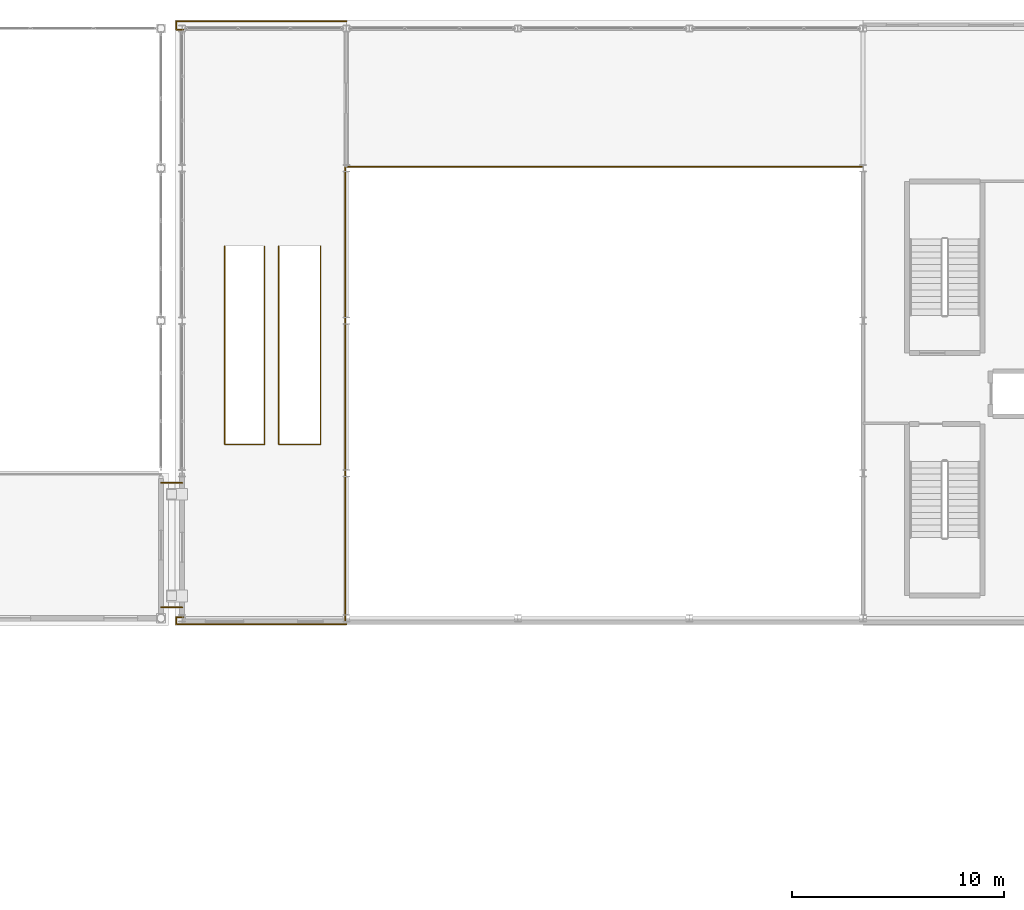
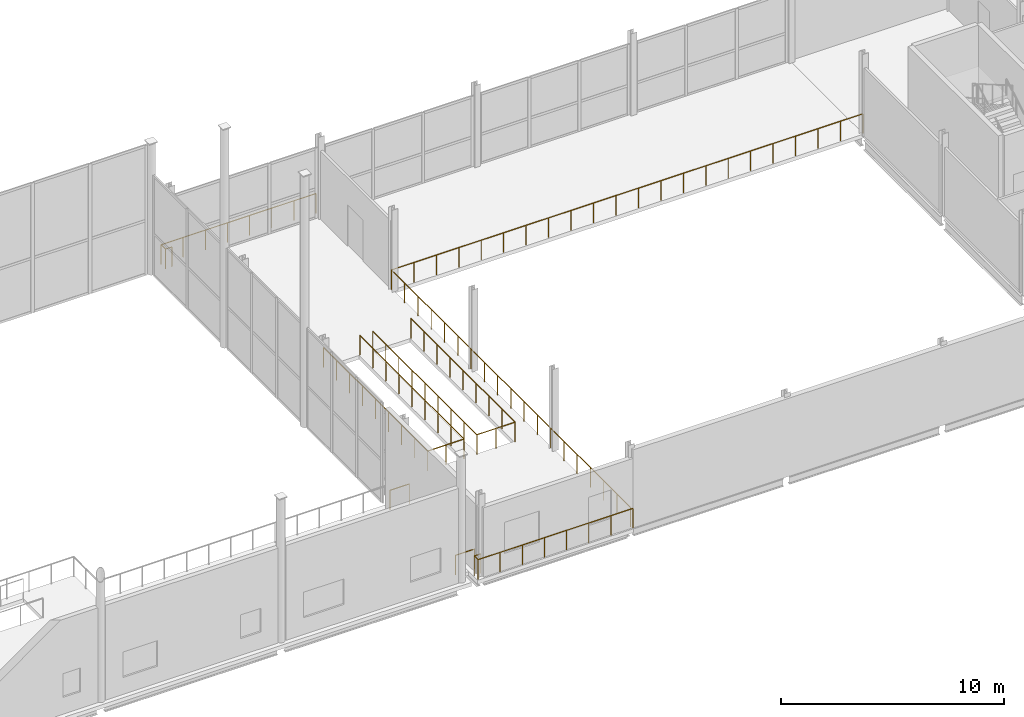
# One storey, part 76 of 77: 7 railings.
"""IFC4 building model written with IfcOpenShell, lengths in metres."""

from ifc_helpers import new_model, si_unit, direction, frame, origin, origin_2d, place, context, subcontext, project, spatial, circle, extrude, material, type_object, element, save


model = new_model("IFC4")

# Units and contexts
model_context = context("Model", 3, precision=1e-05, world=origin(), true_north=direction((0.0, 1.0)))
body_context = subcontext(model_context, "Body", "Model", "MODEL_VIEW")
ifc_project = project(units=[si_unit("LENGTHUNIT", "METRE"), si_unit("AREAUNIT", "SQUARE_METRE"), si_unit("VOLUMEUNIT", "CUBIC_METRE"), si_unit("PLANEANGLEUNIT", "RADIAN"), si_unit("MASSUNIT", "GRAM", prefix="KILO")], contexts=[model_context])

# Site, building, storey
site_placement = place(None, origin())
site = spatial("IfcSite", under=ifc_project, at=site_placement, CompositionType="ELEMENT")
building_placement = place(site_placement, origin())
building = spatial("IfcBuilding", under=site, at=building_placement, Name="Quillay Park Conservatory", CompositionType="ELEMENT")
storey_placement = place(building_placement, frame((0.0, 0.0, 5.39990234375)))
storey = spatial("IfcBuildingStorey", under=building, at=storey_placement, Name="L01", CompositionType="ELEMENT", Elevation=5.39990234375)

# Railings
ifc_material_1 = material(Name="Steel S355J2H", Category="steel")
railing_type_1 = type_object("IfcRailingType", Name="STAIR WELL GUARDRAIL 1100", PredefinedType="GUARDRAIL", material=ifc_material_1)
railing_1_placement = place(storey_placement, frame((117.860107421875, 103.1201171875, 0.0)))
element("IfcRailing", 1, at=railing_1_placement, inside=storey, type_object=railing_type_1, Name="L01 Feature Stair 05 Well Guardrail", PredefinedType="GUARDRAIL", context=body_context, shape_type="SweptSolid", body=[
    extrude(circle(Radius=0.02392578125, at=origin_2d()), frame((0.0, 0.0, 1.076171875), z_axis=(0.0, -1.0, 0.0), x_axis=(1.0, 0.0, 0.0)), (0.0, 0.0, 1.0), 9.360107421875),
    extrude(circle(Radius=0.02392578125, at=origin_2d()), frame((0.0, -9.360107421875, 1.076171875), z_axis=(1.0, 0.0, 0.0), x_axis=(0.0, 1.0, 0.0)), (0.0, 0.0, 1.0), 1.8798828125),
    extrude(circle(Radius=0.02392578125, at=origin_2d()), frame((1.8798828125, -9.360107421875, 1.076171875), z_axis=(0.0, 1.0, 0.0), x_axis=(-1.0, 0.0, 0.0)), (0.0, 0.0, 1.0), 9.360107421875),
    extrude(circle(Radius=0.02099609375, at=origin_2d()), origin(), (0.0, 0.0, 1.0), 1.052001953125),
    extrude(circle(Radius=0.02099609375, at=origin_2d()), frame((0.0, -1.169921875, 0.0)), (0.0, 0.0, 1.0), 1.052001953125),
    extrude(circle(Radius=0.02099609375, at=origin_2d()), frame((0.0, -2.340087890625, 0.0)), (0.0, 0.0, 1.0), 1.052001953125),
    extrude(circle(Radius=0.02099609375, at=origin_2d()), frame((0.0, -3.510009765625, 0.0)), (0.0, 0.0, 1.0), 1.052001953125),
    extrude(circle(Radius=0.02099609375, at=origin_2d()), frame((0.0, -4.68017578125, 0.0)), (0.0, 0.0, 1.0), 1.052001953125),
    extrude(circle(Radius=0.02099609375, at=origin_2d()), frame((0.0, -5.85009765625, 0.0)), (0.0, 0.0, 1.0), 1.052001953125),
    extrude(circle(Radius=0.02099609375, at=origin_2d()), frame((0.0, -7.02001953125, 0.0)), (0.0, 0.0, 1.0), 1.052001953125),
    extrude(circle(Radius=0.02099609375, at=origin_2d()), frame((0.0, -8.190185546875, 0.0)), (0.0, 0.0, 1.0), 1.052001953125),
    extrude(circle(Radius=0.02099609375, at=origin_2d()), frame((0.0, -9.360107421875, 0.0)), (0.0, 0.0, 1.0), 1.052001953125),
    extrude(circle(Radius=0.02099609375, at=origin_2d()), frame((0.93994140625, -9.360107421875, 0.0)), (0.0, 0.0, 1.0), 1.052001953125),
    extrude(circle(Radius=0.02099609375, at=origin_2d()), frame((1.8798828125, -9.360107421875, 0.0)), (0.0, 0.0, 1.0), 1.052001953125),
    extrude(circle(Radius=0.02099609375, at=origin_2d()), frame((1.8798828125, -8.190185546875, 0.0)), (0.0, 0.0, 1.0), 1.052001953125),
    extrude(circle(Radius=0.02099609375, at=origin_2d()), frame((1.8798828125, -7.02001953125, 0.0)), (0.0, 0.0, 1.0), 1.052001953125),
    extrude(circle(Radius=0.02099609375, at=origin_2d()), frame((1.8798828125, -5.85009765625, 0.0)), (0.0, 0.0, 1.0), 1.052001953125),
    extrude(circle(Radius=0.02099609375, at=origin_2d()), frame((1.8798828125, -4.68017578125, 0.0)), (0.0, 0.0, 1.0), 1.052001953125),
    extrude(circle(Radius=0.02099609375, at=origin_2d()), frame((1.8798828125, -3.510009765625, 0.0)), (0.0, 0.0, 1.0), 1.052001953125),
    extrude(circle(Radius=0.02099609375, at=origin_2d()), frame((1.8798828125, -2.340087890625, 0.0)), (0.0, 0.0, 1.0), 1.052001953125),
    extrude(circle(Radius=0.02099609375, at=origin_2d()), frame((1.8798828125, -1.169921875, 0.0)), (0.0, 0.0, 1.0), 1.052001953125),
    extrude(circle(Radius=0.02099609375, at=origin_2d()), frame((1.8798828125, 0.0, 0.0)), (0.0, 0.0, 1.0), 1.052001953125),
])
railing_2_placement = place(storey_placement, frame((120.409912109375, 103.1201171875, 0.0)))
element("IfcRailing", 2, at=railing_2_placement, inside=storey, type_object=railing_type_1, Name="L01 Feature Stair 06 Well Guardrail", PredefinedType="GUARDRAIL", context=body_context, shape_type="SweptSolid", body=[
    extrude(circle(Radius=0.02392578125, at=origin_2d()), frame((0.0, 0.0, 1.076171875), z_axis=(0.0, -1.0, 0.0), x_axis=(1.0, 0.0, 0.0)), (0.0, 0.0, 1.0), 9.360107421875),
    extrude(circle(Radius=0.02392578125, at=origin_2d()), frame((0.0, -9.360107421875, 1.076171875), z_axis=(1.0, 0.0, 0.0), x_axis=(0.0, 1.0, 0.0)), (0.0, 0.0, 1.0), 1.97998046875),
    extrude(circle(Radius=0.02392578125, at=origin_2d()), frame((1.97998046875, -9.360107421875, 1.076171875), z_axis=(0.0, 1.0, 0.0), x_axis=(-1.0, 0.0, 0.0)), (0.0, 0.0, 1.0), 9.360107421875),
    extrude(circle(Radius=0.02099609375, at=origin_2d()), origin(), (0.0, 0.0, 1.0), 1.052001953125),
    extrude(circle(Radius=0.02099609375, at=origin_2d()), frame((0.0, -1.169921875, 0.0)), (0.0, 0.0, 1.0), 1.052001953125),
    extrude(circle(Radius=0.02099609375, at=origin_2d()), frame((0.0, -2.340087890625, 0.0)), (0.0, 0.0, 1.0), 1.052001953125),
    extrude(circle(Radius=0.02099609375, at=origin_2d()), frame((0.0, -3.510009765625, 0.0)), (0.0, 0.0, 1.0), 1.052001953125),
    extrude(circle(Radius=0.02099609375, at=origin_2d()), frame((0.0, -4.68017578125, 0.0)), (0.0, 0.0, 1.0), 1.052001953125),
    extrude(circle(Radius=0.02099609375, at=origin_2d()), frame((0.0, -5.85009765625, 0.0)), (0.0, 0.0, 1.0), 1.052001953125),
    extrude(circle(Radius=0.02099609375, at=origin_2d()), frame((0.0, -7.02001953125, 0.0)), (0.0, 0.0, 1.0), 1.052001953125),
    extrude(circle(Radius=0.02099609375, at=origin_2d()), frame((0.0, -8.190185546875, 0.0)), (0.0, 0.0, 1.0), 1.052001953125),
    extrude(circle(Radius=0.02099609375, at=origin_2d()), frame((0.0, -9.360107421875, 0.0)), (0.0, 0.0, 1.0), 1.052001953125),
    extrude(circle(Radius=0.02099609375, at=origin_2d()), frame((0.989990234375, -9.360107421875, 0.0)), (0.0, 0.0, 1.0), 1.052001953125),
    extrude(circle(Radius=0.02099609375, at=origin_2d()), frame((1.97998046875, -9.360107421875, 0.0)), (0.0, 0.0, 1.0), 1.052001953125),
    extrude(circle(Radius=0.02099609375, at=origin_2d()), frame((1.97998046875, -8.190185546875, 0.0)), (0.0, 0.0, 1.0), 1.052001953125),
    extrude(circle(Radius=0.02099609375, at=origin_2d()), frame((1.97998046875, -7.02001953125, 0.0)), (0.0, 0.0, 1.0), 1.052001953125),
    extrude(circle(Radius=0.02099609375, at=origin_2d()), frame((1.97998046875, -5.85009765625, 0.0)), (0.0, 0.0, 1.0), 1.052001953125),
    extrude(circle(Radius=0.02099609375, at=origin_2d()), frame((1.97998046875, -4.68017578125, 0.0)), (0.0, 0.0, 1.0), 1.052001953125),
    extrude(circle(Radius=0.02099609375, at=origin_2d()), frame((1.97998046875, -3.510009765625, 0.0)), (0.0, 0.0, 1.0), 1.052001953125),
    extrude(circle(Radius=0.02099609375, at=origin_2d()), frame((1.97998046875, -2.340087890625, 0.0)), (0.0, 0.0, 1.0), 1.052001953125),
    extrude(circle(Radius=0.02099609375, at=origin_2d()), frame((1.97998046875, -1.169921875, 0.0)), (0.0, 0.0, 1.0), 1.052001953125),
    extrude(circle(Radius=0.02099609375, at=origin_2d()), frame((1.97998046875, 0.0, 0.0)), (0.0, 0.0, 1.0), 1.052001953125),
])
ifc_material_2 = material(Name="Steel S355J2H", Category="steel")
railing_type_2 = type_object("IfcRailingType", Name="TERRACE PERIMETER GUARDRAIL 1100", PredefinedType="GUARDRAIL", material=ifc_material_2)
railing_3_placement = place(storey_placement, frame((123.5400390625, 85.39990234375, 0.0)))
element("IfcRailing", 3, at=railing_3_placement, inside=storey, type_object=railing_type_2, Name="L01 Perimeter Safety Guardrail 010", PredefinedType="GUARDRAIL", context=body_context, shape_type="SweptSolid", body=[
    extrude(circle(Radius=0.02392578125, at=origin_2d()), frame((0.0, 0.0, 1.076171875), z_axis=(0.0, 1.0, 0.0), x_axis=(-1.0, 0.0, 0.0)), (0.0, 0.0, 1.0), 21.460205078125),
    extrude(circle(Radius=0.02392578125, at=origin_2d()), frame((0.0, 21.460205078125, 1.076171875), z_axis=(1.0, 0.0, 0.0), x_axis=(0.0, 1.0, 0.0)), (0.0, 0.0, 1.0), 24.4599609375),
    extrude(circle(Radius=0.02099609375, at=origin_2d()), origin(), (0.0, 0.0, 1.0), 1.052001953125),
    extrude(circle(Radius=0.02099609375, at=origin_2d()), frame((0.0, 1.192138671875, 0.0)), (0.0, 0.0, 1.0), 1.052001953125),
    extrude(circle(Radius=0.02099609375, at=origin_2d()), frame((0.0, 2.384521484375, 0.0)), (0.0, 0.0, 1.0), 1.052001953125),
    extrude(circle(Radius=0.02099609375, at=origin_2d()), frame((0.0, 3.57666015625, 0.0)), (0.0, 0.0, 1.0), 1.052001953125),
    extrude(circle(Radius=0.02099609375, at=origin_2d()), frame((0.0, 4.76904296875, 0.0)), (0.0, 0.0, 1.0), 1.052001953125),
    extrude(circle(Radius=0.02099609375, at=origin_2d()), frame((0.0, 5.961181640625, 0.0)), (0.0, 0.0, 1.0), 1.052001953125),
    extrude(circle(Radius=0.02099609375, at=origin_2d()), frame((0.0, 7.1533203125, 0.0)), (0.0, 0.0, 1.0), 1.052001953125),
    extrude(circle(Radius=0.02099609375, at=origin_2d()), frame((0.0, 8.345703125, 0.0)), (0.0, 0.0, 1.0), 1.052001953125),
    extrude(circle(Radius=0.02099609375, at=origin_2d()), frame((0.0, 9.537841796875, 0.0)), (0.0, 0.0, 1.0), 1.052001953125),
    extrude(circle(Radius=0.02099609375, at=origin_2d()), frame((0.0, 10.72998046875, 0.0)), (0.0, 0.0, 1.0), 1.052001953125),
    extrude(circle(Radius=0.02099609375, at=origin_2d()), frame((0.0, 11.92236328125, 0.0)), (0.0, 0.0, 1.0), 1.052001953125),
    extrude(circle(Radius=0.02099609375, at=origin_2d()), frame((0.0, 13.114501953125, 0.0)), (0.0, 0.0, 1.0), 1.052001953125),
    extrude(circle(Radius=0.02099609375, at=origin_2d()), frame((0.0, 14.306884765625, 0.0)), (0.0, 0.0, 1.0), 1.052001953125),
    extrude(circle(Radius=0.02099609375, at=origin_2d()), frame((0.0, 15.4990234375, 0.0)), (0.0, 0.0, 1.0), 1.052001953125),
    extrude(circle(Radius=0.02099609375, at=origin_2d()), frame((0.0, 16.691162109375, 0.0)), (0.0, 0.0, 1.0), 1.052001953125),
    extrude(circle(Radius=0.02099609375, at=origin_2d()), frame((0.0, 17.883544921875, 0.0)), (0.0, 0.0, 1.0), 1.052001953125),
    extrude(circle(Radius=0.02099609375, at=origin_2d()), frame((0.0, 19.07568359375, 0.0)), (0.0, 0.0, 1.0), 1.052001953125),
    extrude(circle(Radius=0.02099609375, at=origin_2d()), frame((0.0, 20.26806640625, 0.0)), (0.0, 0.0, 1.0), 1.052001953125),
    extrude(circle(Radius=0.02099609375, at=origin_2d()), frame((0.0, 21.460205078125, 0.0)), (0.0, 0.0, 1.0), 1.052001953125),
    extrude(circle(Radius=0.02099609375, at=origin_2d()), frame((1.164794921875, 21.460205078125, 0.0)), (0.0, 0.0, 1.0), 1.052001953125),
    extrude(circle(Radius=0.02099609375, at=origin_2d()), frame((2.32958984375, 21.460205078125, 0.0)), (0.0, 0.0, 1.0), 1.052001953125),
    extrude(circle(Radius=0.02099609375, at=origin_2d()), frame((3.494384765625, 21.460205078125, 0.0)), (0.0, 0.0, 1.0), 1.052001953125),
    extrude(circle(Radius=0.02099609375, at=origin_2d()), frame((4.658935546875, 21.460205078125, 0.0)), (0.0, 0.0, 1.0), 1.052001953125),
    extrude(circle(Radius=0.02099609375, at=origin_2d()), frame((5.82373046875, 21.460205078125, 0.0)), (0.0, 0.0, 1.0), 1.052001953125),
    extrude(circle(Radius=0.02099609375, at=origin_2d()), frame((6.988525390625, 21.460205078125, 0.0)), (0.0, 0.0, 1.0), 1.052001953125),
    extrude(circle(Radius=0.02099609375, at=origin_2d()), frame((8.1533203125, 21.460205078125, 0.0)), (0.0, 0.0, 1.0), 1.052001953125),
    extrude(circle(Radius=0.02099609375, at=origin_2d()), frame((9.318115234375, 21.460205078125, 0.0)), (0.0, 0.0, 1.0), 1.052001953125),
    extrude(circle(Radius=0.02099609375, at=origin_2d()), frame((10.48291015625, 21.460205078125, 0.0)), (0.0, 0.0, 1.0), 1.052001953125),
    extrude(circle(Radius=0.02099609375, at=origin_2d()), frame((11.647705078125, 21.460205078125, 0.0)), (0.0, 0.0, 1.0), 1.052001953125),
    extrude(circle(Radius=0.02099609375, at=origin_2d()), frame((12.812255859375, 21.460205078125, 0.0)), (0.0, 0.0, 1.0), 1.052001953125),
    extrude(circle(Radius=0.02099609375, at=origin_2d()), frame((13.97705078125, 21.460205078125, 0.0)), (0.0, 0.0, 1.0), 1.052001953125),
    extrude(circle(Radius=0.02099609375, at=origin_2d()), frame((15.141845703125, 21.460205078125, 0.0)), (0.0, 0.0, 1.0), 1.052001953125),
    extrude(circle(Radius=0.02099609375, at=origin_2d()), frame((16.306640625, 21.460205078125, 0.0)), (0.0, 0.0, 1.0), 1.052001953125),
    extrude(circle(Radius=0.02099609375, at=origin_2d()), frame((17.471435546875, 21.460205078125, 0.0)), (0.0, 0.0, 1.0), 1.052001953125),
    extrude(circle(Radius=0.02099609375, at=origin_2d()), frame((18.63623046875, 21.460205078125, 0.0)), (0.0, 0.0, 1.0), 1.052001953125),
    extrude(circle(Radius=0.02099609375, at=origin_2d()), frame((19.801025390625, 21.460205078125, 0.0)), (0.0, 0.0, 1.0), 1.052001953125),
    extrude(circle(Radius=0.02099609375, at=origin_2d()), frame((20.965576171875, 21.460205078125, 0.0)), (0.0, 0.0, 1.0), 1.052001953125),
    extrude(circle(Radius=0.02099609375, at=origin_2d()), frame((22.13037109375, 21.460205078125, 0.0)), (0.0, 0.0, 1.0), 1.052001953125),
    extrude(circle(Radius=0.02099609375, at=origin_2d()), frame((23.295166015625, 21.460205078125, 0.0)), (0.0, 0.0, 1.0), 1.052001953125),
    extrude(circle(Radius=0.02099609375, at=origin_2d()), frame((24.4599609375, 21.460205078125, 0.0)), (0.0, 0.0, 1.0), 1.052001953125),
])
for number, where, name in (
    (4, (114.85009765625, 86.06005859375, 0.0), "L01 Perimeter Safety Guardrail 014"),
    (5, (114.85009765625, 91.93994140625, 0.0), "L01 Perimeter Safety Guardrail 015"),
):
    element("IfcRailing", number, at=place(storey_placement, frame(where)), inside=storey, type_object=railing_type_2, Name=name, PredefinedType="GUARDRAIL", context=body_context, shape_type="SweptSolid", body=[
        extrude(circle(Radius=0.02392578125, at=origin_2d()), frame((0.0, 0.0, 1.076171875), z_axis=(1.0, 0.0, 0.0), x_axis=(0.0, 1.0, 0.0)), (0.0, 0.0, 1.0), 1.0),
        extrude(circle(Radius=0.02099609375, at=origin_2d()), origin(), (0.0, 0.0, 1.0), 1.052001953125),
        extrude(circle(Radius=0.02099609375, at=origin_2d()), frame((1.0, 0.0, 0.0)), (0.0, 0.0, 1.0), 1.052001953125),
    ])
railing_4_placement = place(storey_placement, frame((115.89990234375, 113.35009765625, 0.0)))
element("IfcRailing", 6, at=railing_4_placement, inside=storey, type_object=railing_type_2, Name="L01 Perimeter Safety Guardrail 042", PredefinedType="GUARDRAIL", context=body_context, shape_type="SweptSolid", body=[
    extrude(circle(Radius=0.02392578125, at=origin_2d()), frame((0.0, 0.0, 1.076171875), z_axis=(-1.0, 0.0, 0.0), x_axis=(0.0, -1.0, 0.0)), (0.0, 0.0, 1.0), 0.33984375),
    extrude(circle(Radius=0.02392578125, at=origin_2d()), frame((-0.33984375, 0.0, 1.076171875), z_axis=(0.0, 1.0, 0.0), x_axis=(-1.0, 0.0, 0.0)), (0.0, 0.0, 1.0), 0.389892578125),
    extrude(circle(Radius=0.02392578125, at=origin_2d()), frame((-0.33984375, 0.389892578125, 1.076171875), z_axis=(1.0, 0.0, 0.0), x_axis=(0.0, 1.0, 0.0)), (0.0, 0.0, 1.0), 8.0400390625),
    extrude(circle(Radius=0.02099609375, at=origin_2d()), origin(), (0.0, 0.0, 1.0), 1.052001953125),
    extrude(circle(Radius=0.02099609375, at=origin_2d()), frame((-0.33984375, 0.0, 0.0)), (0.0, 0.0, 1.0), 1.052001953125),
    extrude(circle(Radius=0.02099609375, at=origin_2d()), frame((-0.33984375, 0.389892578125, 0.0)), (0.0, 0.0, 1.0), 1.052001953125),
    extrude(circle(Radius=0.02099609375, at=origin_2d()), frame((0.808837890625, 0.389892578125, 0.0)), (0.0, 0.0, 1.0), 1.052001953125),
    extrude(circle(Radius=0.02099609375, at=origin_2d()), frame((1.957275390625, 0.389892578125, 0.0)), (0.0, 0.0, 1.0), 1.052001953125),
    extrude(circle(Radius=0.02099609375, at=origin_2d()), frame((3.10595703125, 0.389892578125, 0.0)), (0.0, 0.0, 1.0), 1.052001953125),
    extrude(circle(Radius=0.02099609375, at=origin_2d()), frame((4.25439453125, 0.389892578125, 0.0)), (0.0, 0.0, 1.0), 1.052001953125),
    extrude(circle(Radius=0.02099609375, at=origin_2d()), frame((5.403076171875, 0.389892578125, 0.0)), (0.0, 0.0, 1.0), 1.052001953125),
    extrude(circle(Radius=0.02099609375, at=origin_2d()), frame((6.551513671875, 0.389892578125, 0.0)), (0.0, 0.0, 1.0), 1.052001953125),
    extrude(circle(Radius=0.02099609375, at=origin_2d()), frame((7.7001953125, 0.389892578125, 0.0)), (0.0, 0.0, 1.0), 1.052001953125),
])
railing_5_placement = place(storey_placement, frame((115.89990234375, 85.60009765625, 0.0)))
element("IfcRailing", 7, at=railing_5_placement, inside=storey, type_object=railing_type_2, Name="L01 Perimeter Safety Guardrail 043", PredefinedType="GUARDRAIL", context=body_context, shape_type="SweptSolid", body=[
    extrude(circle(Radius=0.02392578125, at=origin_2d()), frame((0.0, 0.0, 1.076171875), z_axis=(-1.0, 0.0, 0.0), x_axis=(0.0, -1.0, 0.0)), (0.0, 0.0, 1.0), 0.33984375),
    extrude(circle(Radius=0.02392578125, at=origin_2d()), frame((-0.33984375, 0.0, 1.076171875), z_axis=(0.0, -1.0, 0.0), x_axis=(1.0, 0.0, 0.0)), (0.0, 0.0, 1.0), 0.340087890625),
    extrude(circle(Radius=0.02392578125, at=origin_2d()), frame((-0.33984375, -0.340087890625, 1.076171875), z_axis=(1.0, 0.0, 0.0), x_axis=(0.0, 1.0, 0.0)), (0.0, 0.0, 1.0), 8.0400390625),
    extrude(circle(Radius=0.02099609375, at=origin_2d()), origin(), (0.0, 0.0, 1.0), 1.052001953125),
    extrude(circle(Radius=0.02099609375, at=origin_2d()), frame((-0.33984375, 0.0, 0.0)), (0.0, 0.0, 1.0), 1.052001953125),
    extrude(circle(Radius=0.02099609375, at=origin_2d()), frame((-0.33984375, -0.340087890625, 0.0)), (0.0, 0.0, 1.0), 1.052001953125),
    extrude(circle(Radius=0.02099609375, at=origin_2d()), frame((0.808837890625, -0.340087890625, 0.0)), (0.0, 0.0, 1.0), 1.052001953125),
    extrude(circle(Radius=0.02099609375, at=origin_2d()), frame((1.957275390625, -0.340087890625, 0.0)), (0.0, 0.0, 1.0), 1.052001953125),
    extrude(circle(Radius=0.02099609375, at=origin_2d()), frame((3.10595703125, -0.340087890625, 0.0)), (0.0, 0.0, 1.0), 1.052001953125),
    extrude(circle(Radius=0.02099609375, at=origin_2d()), frame((4.25439453125, -0.340087890625, 0.0)), (0.0, 0.0, 1.0), 1.052001953125),
    extrude(circle(Radius=0.02099609375, at=origin_2d()), frame((5.403076171875, -0.340087890625, 0.0)), (0.0, 0.0, 1.0), 1.052001953125),
    extrude(circle(Radius=0.02099609375, at=origin_2d()), frame((6.551513671875, -0.340087890625, 0.0)), (0.0, 0.0, 1.0), 1.052001953125),
    extrude(circle(Radius=0.02099609375, at=origin_2d()), frame((7.7001953125, -0.340087890625, 0.0)), (0.0, 0.0, 1.0), 1.052001953125),
])

save(model, "model.ifc")
